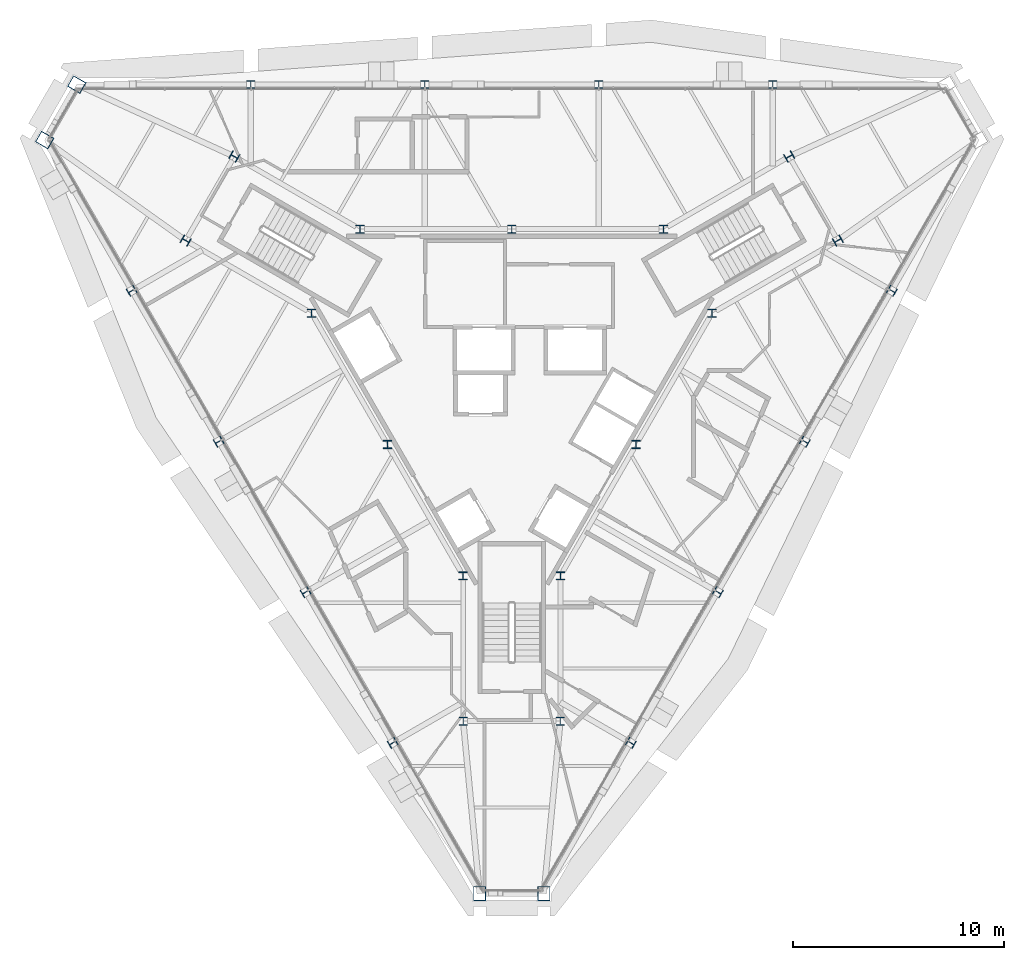
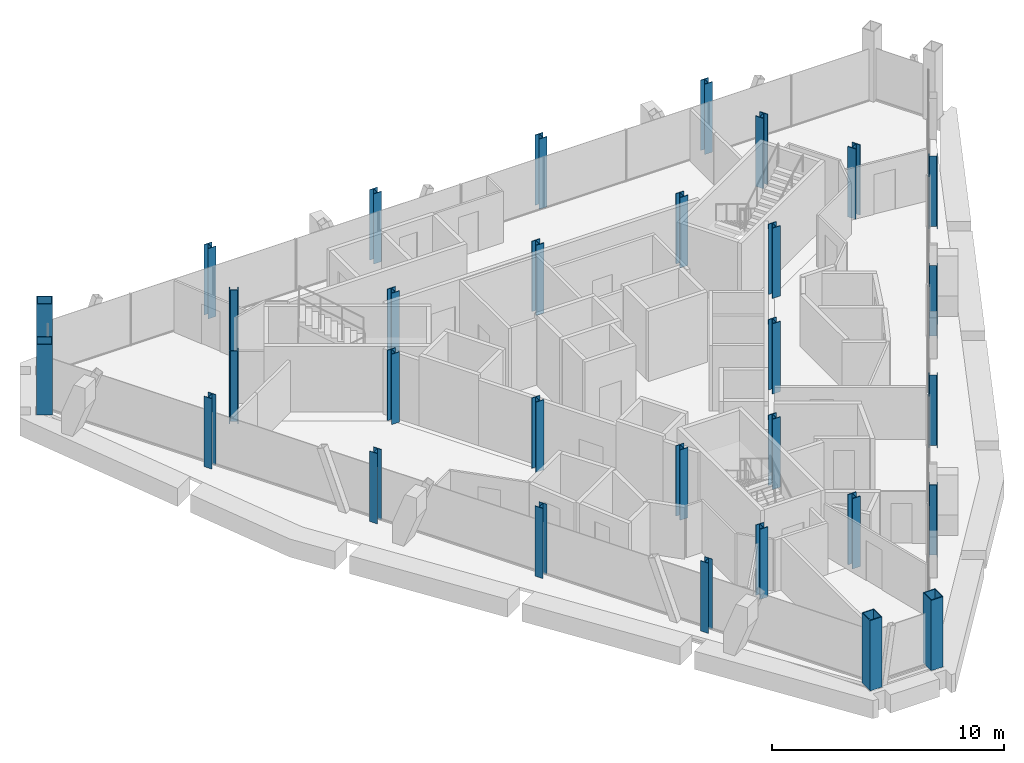
# One storey, part 1 of 11: 31 columns.
"""IFC4 building model written with IfcOpenShell, lengths in metres."""

import ifcopenshell
import ifcopenshell.guid

model = None  # the IFC model being written
_history = None  # IfcOwnerHistory: only IFC2X3 demands one
_inside = {}  # id of a spatial element -> (the spatial element, [elements in it])
_under = {}  # id of a project, library or spatial element -> (it, [spatial elements below it])
_declared = {}  # id of a project -> (the project, [libraries it declares])
_typed = {}  # id of a type object -> (the type object, [elements of that type])
_made_of = {}  # id of a material, layer set ... -> (it, [elements and type objects made of it])


def new_model(schema):
    """Start an empty IFC model of exactly this schema.

    Asked for "IFC4X3", IfcOpenShell would pick the latest addendum, in which some entities
    have other attributes; the version numbers below select the first issue.
    IFC2X3 requires an IfcOwnerHistory on every rooted entity: one is made here for all.
    """
    global model, _history
    if schema == "IFC4X3":
        model = ifcopenshell.file(schema_version=(4, 3, 0, 0))
    else:
        model = ifcopenshell.file(schema=schema)
    _inside.clear()
    _under.clear()
    _declared.clear()
    _typed.clear()
    _made_of.clear()
    _history = None
    if model.schema == "IFC2X3":
        org = make("IfcOrganization", Name="unknown")
        user = make(
            "IfcPersonAndOrganization",
            ThePerson=make("IfcPerson", FamilyName="unknown"),
            TheOrganization=org,
        )
        app = make(
            "IfcApplication",
            ApplicationDeveloper=org,
            Version="unknown",
            ApplicationFullName="unknown",
            ApplicationIdentifier="unknown",
        )
        _history = make(
            "IfcOwnerHistory",
            OwningUser=user,
            OwningApplication=app,
            ChangeAction="ADDED",
            CreationDate=0,
        )
    return model


def make(cls, **values):
    """One entity of the class cls with the attributes given. An attribute that is None is left unset."""
    return model.create_entity(
        cls, **{name: value for name, value in values.items() if value is not None}
    )


def rooted(cls, **values):
    """An entity with a GlobalId (a new one), such as an element, a storey or a relation."""
    return make(cls, GlobalId=ifcopenshell.guid.new(), OwnerHistory=_history, **values)


def si_unit(unit_type, name, prefix=None):
    """IfcSIUnit, for example si_unit("LENGTHUNIT", "METRE", prefix="MILLI")."""
    return make("IfcSIUnit", UnitType=unit_type, Prefix=prefix, Name=name)


def assignment(units):
    """IfcUnitAssignment: the units of a project."""
    return None if units is None else make("IfcUnitAssignment", Units=units)


def point(xyz):
    """IfcCartesianPoint."""
    return None if xyz is None else make("IfcCartesianPoint", Coordinates=xyz)


def direction(xyz):
    """IfcDirection."""
    return None if xyz is None else make("IfcDirection", DirectionRatios=xyz)


def frame(location, z_axis=None, x_axis=None):
    """IfcAxis2Placement3D, a coordinate frame: its origin and axes. An axis left out is left unset."""
    return make(
        "IfcAxis2Placement3D",
        Location=point(location),
        Axis=direction(z_axis),
        RefDirection=direction(x_axis),
    )


def frame_2d(location, x_axis=None):
    """IfcAxis2Placement2D, a coordinate frame in the plane: its origin and x axis."""
    return make(
        "IfcAxis2Placement2D", Location=point(location), RefDirection=direction(x_axis)
    )


def origin():
    """The frame at (0, 0, 0) with its axes left unset."""
    return frame((0.0, 0.0, 0.0))


def origin_2d():
    """The frame at (0, 0) in the plane with its x axis left unset."""
    return frame_2d((0.0, 0.0))


def place(relative_to, where):
    """IfcLocalPlacement: puts the frame where relative to a parent placement (None: the world)."""
    return make(
        "IfcLocalPlacement", PlacementRelTo=relative_to, RelativePlacement=where
    )


def context(
    kind, dimensions, precision=None, world=None, true_north=None, identifier=None
):
    """IfcGeometricRepresentationContext, for example the 3D "Model" context."""
    return make(
        "IfcGeometricRepresentationContext",
        ContextIdentifier=identifier,
        ContextType=kind,
        CoordinateSpaceDimension=dimensions,
        Precision=precision,
        WorldCoordinateSystem=world,
        TrueNorth=true_north,
    )


def subcontext(parent, identifier, kind, view, scale=None):
    """IfcGeometricRepresentationSubContext, for example "Body" below "Model"."""
    return make(
        "IfcGeometricRepresentationSubContext",
        ContextIdentifier=identifier,
        ContextType=kind,
        ParentContext=parent,
        TargetScale=scale,
        TargetView=view,
    )


def project(units=None, contexts=None):
    """IfcProject with its units and contexts."""
    return rooted(
        "IfcProject",
        Name="project",
        RepresentationContexts=contexts,
        UnitsInContext=assignment(units),
    )


def spatial(cls, under=None, at=None, **own):
    """A site, building, storey or space (cls), placed at a placement, below another one or the project."""
    s = rooted(cls, ObjectPlacement=at, **own)
    if under is not None:
        _under.setdefault(under.id(), (under, []))[1].append(s)
    return s


def profile(cls, at=None, kind="AREA", **sizes):
    """A parametric profile (cls). Its sizes go by their IFC names, for example OverallWidth=200.0."""
    return make(cls, ProfileType=kind, Position=at, **sizes)


def hollow_rectangle(**sizes):
    """IfcRectangleHollowProfileDef."""
    return profile("IfcRectangleHollowProfileDef", **sizes)


def i_section(**sizes):
    """IfcIShapeProfileDef."""
    return profile("IfcIShapeProfileDef", **sizes)


def extrude(swept, where, along, depth):
    """IfcExtrudedAreaSolid: the profile swept, set in the frame where, extruded along a direction by depth."""
    return make(
        "IfcExtrudedAreaSolid",
        SweptArea=swept,
        Position=where,
        ExtrudedDirection=direction(along),
        Depth=depth,
    )


def shape(context_of_items, identifier, shape_type, items):
    """IfcShapeRepresentation: the items that make up one representation, for example the "Body"."""
    return make(
        "IfcShapeRepresentation",
        ContextOfItems=context_of_items,
        RepresentationIdentifier=identifier,
        RepresentationType=shape_type,
        Items=items,
    )


def material(Name=None, Category=None):
    """IfcMaterial."""
    return make("IfcMaterial", Name=Name, Category=Category)


def material_profile(
    of_material, cross_section, Name=None, Category=None, Priority=None
):
    """IfcMaterialProfile: a cross section and its material."""
    return make(
        "IfcMaterialProfile",
        Name=Name,
        Material=of_material,
        Profile=cross_section,
        Priority=Priority,
        Category=Category,
    )


def profile_set(profiles, Name=None, composite=None):
    """IfcMaterialProfileSet."""
    return make(
        "IfcMaterialProfileSet",
        Name=Name,
        MaterialProfiles=profiles,
        CompositeProfile=composite,
    )


def made_of(thing, what):
    """Note that an element or type object is made of a material, layer set ...; save() writes the relation."""
    if what is not None:
        _made_of.setdefault(what.id(), (what, []))[1].append(thing)
    return thing


def type_object(cls, material=None, **own):
    """A type object (cls), such as IfcWallType, which elements share."""
    return made_of(rooted(cls, **own), material)


def element(
    cls,
    number,
    at=None,
    inside=None,
    cuts=None,
    type_object=None,
    material=None,
    context=None,
    identifier="Body",
    shape_type=None,
    held_by="IfcProductDefinitionShape",
    body=None,
    shapes=None,
    **own,
):
    """One element of the class cls, such as IfcWall. Its Tag is "e" and its number.

    at: its placement. inside: the storey or other place that contains it. cuts: it is an
    opening in that element (IfcRelVoidsElement). A single representation is given by context,
    identifier, shape_type and body (its items); several are given by shapes. held_by: the class
    of the entity that holds the representations. save() writes the other relations.
    """
    e = rooted(cls, Tag="e%d" % number, ObjectPlacement=at, **own)
    if body is not None:
        shapes = [shape(context, identifier, shape_type, body)]
    if shapes is not None:
        e.Representation = make(held_by, Representations=shapes)
    if inside is not None:
        _inside.setdefault(inside.id(), (inside, []))[1].append(e)
    if cuts is not None:
        rooted(
            "IfcRelVoidsElement", RelatingBuildingElement=cuts, RelatedOpeningElement=e
        )
    if type_object is not None:
        _typed.setdefault(type_object.id(), (type_object, []))[1].append(e)
    return made_of(e, material)


def aggregate(whole, parts):
    """IfcRelAggregates: a whole, such as a stair, and the parts it consists of."""
    return rooted("IfcRelAggregates", RelatingObject=whole, RelatedObjects=parts)


def save(model, path):
    """Write the relations noted so far, then the file.

    IfcRelAggregates (storeys below a building ...), IfcRelContainedInSpatialStructure (elements
    in a storey), IfcRelDefinesByType, IfcRelAssociatesMaterial and IfcRelDeclares: one each for
    every whole, place, type object, material and project.
    """
    for whole, parts in _under.values():
        aggregate(whole, parts)
    for where, things in _inside.values():
        rooted(
            "IfcRelContainedInSpatialStructure",
            RelatedElements=things,
            RelatingStructure=where,
        )
    for kind, things in _typed.values():
        rooted("IfcRelDefinesByType", RelatedObjects=things, RelatingType=kind)
    for what, things in _made_of.values():
        rooted("IfcRelAssociatesMaterial", RelatedObjects=things, RelatingMaterial=what)
    for by, libraries in _declared.values():
        rooted("IfcRelDeclares", RelatingContext=by, RelatedDefinitions=libraries)
    model.write(path)


model = new_model("IFC4")

# Units and contexts
model_context = context("Model", 3, precision=1e-05, world=origin(), true_north=direction((0.0, 1.0)))
body_context = subcontext(model_context, "Body", "Model", "MODEL_VIEW")
ifc_project = project(units=[si_unit("LENGTHUNIT", "METRE"), si_unit("AREAUNIT", "SQUARE_METRE"), si_unit("VOLUMEUNIT", "CUBIC_METRE"), si_unit("PLANEANGLEUNIT", "RADIAN"), si_unit("MASSUNIT", "GRAM", prefix="KILO")], contexts=[model_context])

# Site, building, storey
site_placement = place(None, origin())
site = spatial("IfcSite", under=ifc_project, at=site_placement, CompositionType="ELEMENT")
building_placement = place(site_placement, origin())
building = spatial("IfcBuilding", under=site, at=building_placement, Name="Verrane Prism Tower", CompositionType="ELEMENT")
storey_placement = place(building_placement, frame((0.0, 0.0, 267.699951171875)))
storey = spatial("IfcBuildingStorey", under=building, at=storey_placement, Name="L67", CompositionType="ELEMENT", Elevation=267.699951171875)

# Columns
ifc_material_1 = material(Name="Steel A992", Category="steel")
ifc_material_profile_1 = material_profile(ifc_material_1, i_section(OverallWidth=0.4013671875, OverallDepth=0.398681640625, WebThickness=0.02490234375, FlangeThickness=0.03955078125, FilletRadius=0.01513671875, at=origin_2d()), Name="W14x211")
ifc_profile_set_1 = profile_set([ifc_material_profile_1], Name="Steel A992")
column_type_1 = type_object("IfcColumnType", Name="Core corner column W14x211", PredefinedType="COLUMN", material=ifc_profile_set_1)
for number, where, z_axis, x_axis, name in (
    (1, (15.43994140625, 6.260009765625, 0.0), (0.0, 0.0, 1.0), (0.5, -0.866025403784, 0.0), "Core corner column CK-NEm L67"),
    (2, (13.139892578125, 10.239990234375, 0.0), (0.0, 0.0, 1.0), (0.5, -0.866025403784, 0.0), "Core corner column CK-NEp L67"),
    (3, (-13.139892578125, 10.239990234375, 0.0), (0.0, 0.0, 1.0), (0.5, 0.866025403784, 0.0), "Core corner column CK-NWm L67"),
    (4, (-15.43994140625, 6.260009765625, 0.0), (0.0, 0.0, 1.0), (0.5, 0.866025403784, 0.0), "Core corner column CK-NWp L67"),
    (5, (-2.300048828125, -16.5, 0.0), (0.0, 0.0, 1.0), (-1.0, 0.0, 0.0), "Core corner column CK-Sm L67"),
    (6, (2.300048828125, -16.5, 0.0), (0.0, 0.0, 1.0), (-1.0, 0.0, 0.0), "Core corner column CK-Sp L67"),
):
    element("IfcColumn", number, at=place(storey_placement, frame(where, z_axis=z_axis, x_axis=x_axis)), inside=storey, type_object=column_type_1, Name=name, PredefinedType="COLUMN", context=body_context, shape_type="SweptSolid", body=[
        extrude(i_section(OverallWidth=0.4013671875, OverallDepth=0.398681640625, WebThickness=0.02490234375, FlangeThickness=0.03955078125, FilletRadius=0.01513671875, at=origin_2d()), origin(), (0.0, 0.0, 1.0), 3.699951171875),
    ])
ifc_material_2 = material(Name="Steel A992", Category="steel")
ifc_material_profile_2 = material_profile(ifc_material_2, i_section(OverallWidth=0.398681640625, OverallDepth=0.385986328125, WebThickness=0.02099609375, FlangeThickness=0.033203125, FilletRadius=0.01513671875, at=origin_2d()), Name="W14x176")
ifc_profile_set_2 = profile_set([ifc_material_profile_2], Name="Steel A992")
column_type_2 = type_object("IfcColumnType", Name="Core side column W14x176", PredefinedType="COLUMN", material=ifc_profile_set_2)
for number, where, z_axis, x_axis, name in (
    (7, (9.47998046875, 2.820068359375, 0.0), (0.0, 0.0, 1.0), (1.0, 0.0, 0.0), "Core side column CC-NEm L67"),
    (8, (7.179931640625, 6.800048828125, 0.0), (0.0, 0.0, 1.0), (1.0, 0.0, 0.0), "Core side column CC-NEp L67"),
    (9, (0.0, 6.800048828125, 0.0), (0.0, 0.0, 1.0), (1.0, 0.0, 0.0), "Core side column CC-N0 L67"),
    (10, (-7.179931640625, 6.800048828125, 0.0), (0.0, 0.0, 1.0), (1.0, 0.0, 0.0), "Core side column CC-NWm L67"),
    (11, (-9.47998046875, 2.820068359375, 0.0), (0.0, 0.0, 1.0), (1.0, 0.0, 0.0), "Core side column CC-NWp L67"),
    (12, (-5.889892578125, -3.39990234375, 0.0), (0.0, 0.0, 1.0), (1.0, 0.0, 0.0), "Core side column CC-SW0 L67"),
    (13, (-2.300048828125, -9.6201171875, 0.0), (0.0, 0.0, 1.0), (1.0, 0.0, 0.0), "Core side column CC-Sm L67"),
    (14, (2.300048828125, -9.6201171875, 0.0), (0.0, 0.0, 1.0), (1.0, 0.0, 0.0), "Core side column CC-Sp L67"),
    (15, (5.889892578125, -3.39990234375, 0.0), (0.0, 0.0, 1.0), (1.0, 0.0, 0.0), "Core side column CC-SE0 L67"),
):
    element("IfcColumn", number, at=place(storey_placement, frame(where, z_axis=z_axis, x_axis=x_axis)), inside=storey, type_object=column_type_2, Name=name, PredefinedType="COLUMN", context=body_context, shape_type="SweptSolid", body=[
        extrude(i_section(OverallWidth=0.398681640625, OverallDepth=0.385986328125, WebThickness=0.02099609375, FlangeThickness=0.033203125, FilletRadius=0.01513671875, at=origin_2d()), origin(), (0.0, 0.0, 1.0), 3.699951171875),
    ])
ifc_material_3 = material(Name="Steel A572 Grade 50", Category="steel")
ifc_material_profile_3 = material_profile(ifc_material_3, hollow_rectangle(XDim=0.60009765625, YDim=0.699951171875, WallThickness=0.0400390625, at=origin_2d()), Name="BOX 700x600x40")
ifc_profile_set_3 = profile_set([ifc_material_profile_3], Name="Steel A572 Grade 50")
column_type_3 = type_object("IfcColumnType", Name="Megacolumn BOX 700x600x40", PredefinedType="COLUMN", material=ifc_profile_set_3)
for number, where, z_axis, x_axis, name in (
    (16, (-20.60009765625, 13.64990234375, 0.0), (0.0, 0.0, 1.0), (0.5, 0.866025403784, 0.0), "Megacolumn MC-NW.a L67"),
    (17, (-22.1201171875, 11.02001953125, 0.0), (0.0, 0.0, 1.0), (0.5, 0.866025403784, 0.0), "Megacolumn MC-NW.b L67"),
    (18, (-1.52001953125, -24.669921875, 0.0), (0.0, 0.0, 1.0), (-1.0, 0.0, 0.0), "Megacolumn MC-S.a L67"),
    (19, (1.52001953125, -24.669921875, 0.0), (0.0, 0.0, 1.0), (-1.0, 0.0, 0.0), "Megacolumn MC-S.b L67"),
):
    element("IfcColumn", number, at=place(storey_placement, frame(where, z_axis=z_axis, x_axis=x_axis)), inside=storey, type_object=column_type_3, Name=name, PredefinedType="COLUMN", context=body_context, shape_type="SweptSolid", body=[
        extrude(hollow_rectangle(XDim=0.60009765625, YDim=0.699951171875, WallThickness=0.0400390625, at=origin_2d()), origin(), (0.0, 0.0, 1.0), 3.699951171875),
    ])
ifc_material_4 = material(Name="Steel A992", Category="steel")
ifc_material_profile_4 = material_profile(ifc_material_4, i_section(OverallWidth=0.393798828125, OverallDepth=0.3759765625, WebThickness=0.017333984375, FlangeThickness=0.027587890625, FilletRadius=0.01513671875, at=origin_2d()), Name="W14x145")
ifc_profile_set_4 = profile_set([ifc_material_profile_4], Name="Steel A992")
column_type_4 = type_object("IfcColumnType", Name="Perimeter column W14x145", PredefinedType="COLUMN", material=ifc_profile_set_4)
for number, where, z_axis, x_axis, name in (
    (20, (12.360107421875, 13.64990234375, 0.0), (0.0, 0.0, 1.0), (1.0, 0.0, 0.0), "Perimeter column PC-N1 L67"),
    (21, (4.1201171875, 13.64990234375, 0.0), (0.0, 0.0, 1.0), (1.0, 0.0, 0.0), "Perimeter column PC-N2 L67"),
    (22, (-4.1201171875, 13.64990234375, 0.0), (0.0, 0.0, 1.0), (1.0, 0.0, 0.0), "Perimeter column PC-N3 L67"),
    (23, (-12.360107421875, 13.64990234375, 0.0), (0.0, 0.0, 1.0), (1.0, 0.0, 0.0), "Perimeter column PC-N4 L67"),
    (24, (-18.0, 3.8798828125, 0.0), (0.0, 0.0, 1.0), (-0.5, 0.866025403784, 0.0), "Perimeter column PC-SW1 L67"),
    (25, (-13.8798828125, -3.260009765625, 0.0), (0.0, 0.0, 1.0), (-0.5, 0.866025403784, 0.0), "Perimeter column PC-SW2 L67"),
    (26, (-9.760009765625, -10.389892578125, 0.0), (0.0, 0.0, 1.0), (-0.5, 0.866025403784, 0.0), "Perimeter column PC-SW3 L67"),
    (27, (-5.639892578125, -17.530029296875, 0.0), (0.0, 0.0, 1.0), (-0.5, 0.866025403784, 0.0), "Perimeter column PC-SW4 L67"),
    (28, (5.639892578125, -17.530029296875, 0.0), (0.0, 0.0, 1.0), (-0.5, -0.866025403784, 0.0), "Perimeter column PC-SE1 L67"),
    (29, (9.760009765625, -10.389892578125, 0.0), (0.0, 0.0, 1.0), (-0.5, -0.866025403784, 0.0), "Perimeter column PC-SE2 L67"),
    (30, (13.8798828125, -3.260009765625, 0.0), (0.0, 0.0, 1.0), (-0.5, -0.866025403784, 0.0), "Perimeter column PC-SE3 L67"),
    (31, (18.0, 3.8798828125, 0.0), (0.0, 0.0, 1.0), (-0.5, -0.866025403784, 0.0), "Perimeter column PC-SE4 L67"),
):
    element("IfcColumn", number, at=place(storey_placement, frame(where, z_axis=z_axis, x_axis=x_axis)), inside=storey, type_object=column_type_4, Name=name, PredefinedType="COLUMN", context=body_context, shape_type="SweptSolid", body=[
        extrude(i_section(OverallWidth=0.393798828125, OverallDepth=0.3759765625, WebThickness=0.017333984375, FlangeThickness=0.027587890625, FilletRadius=0.01513671875, at=origin_2d()), origin(), (0.0, 0.0, 1.0), 3.699951171875),
    ])

save(model, "model.ifc")
